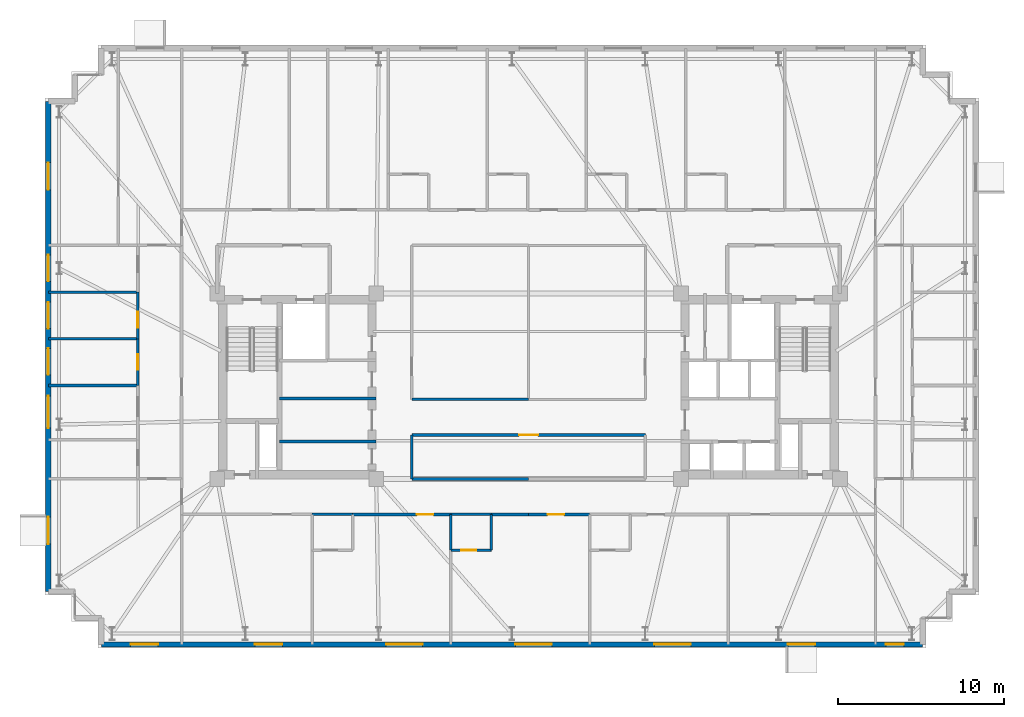
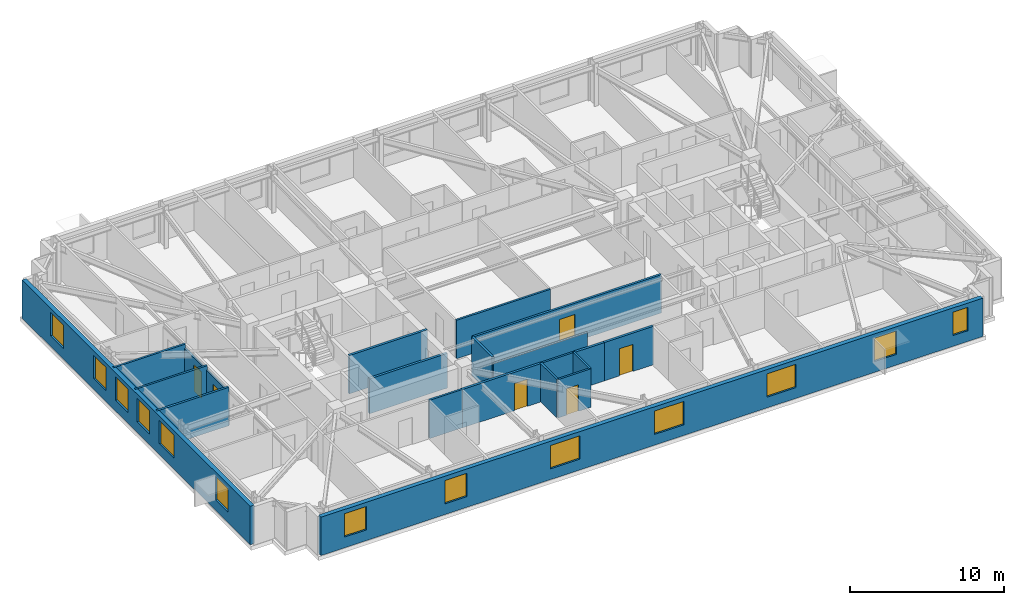
# One storey, part 11 of 18: 21 walls, 13 windows, 6 doors, 19 openings.
"""IFC4 building model written with IfcOpenShell, lengths in metres."""

from ifc_helpers import new_model, si_unit, direction, frame, frame_2d, origin, place, context, subcontext, project, spatial, rectangle, extrude, material, layer, layer_set, type_object, element, fill, save


model = new_model("IFC4")

# Units and contexts
model_context = context("Model", 3, precision=1e-05, world=origin(), true_north=direction((0.0, 1.0)))
body_context = subcontext(model_context, "Body", "Model", "MODEL_VIEW")
ifc_project = project(units=[si_unit("LENGTHUNIT", "METRE"), si_unit("AREAUNIT", "SQUARE_METRE"), si_unit("VOLUMEUNIT", "CUBIC_METRE"), si_unit("PLANEANGLEUNIT", "RADIAN"), si_unit("MASSUNIT", "GRAM", prefix="KILO")], contexts=[model_context])

# Site, building, storey
site_placement = place(None, origin())
site = spatial("IfcSite", under=ifc_project, at=site_placement, CompositionType="ELEMENT")
building_placement = place(site_placement, origin())
building = spatial("IfcBuilding", under=site, at=building_placement, Name="Qobustan Lattice House", CompositionType="ELEMENT")
storey_placement = place(building_placement, frame((0.0, 0.0, 141.050048828125)))
storey = spatial("IfcBuildingStorey", under=building, at=storey_placement, Name="L39", CompositionType="ELEMENT", Elevation=141.050048828125)

# Wall, openings, windows
ifc_material_1 = material(Name="Precast concrete C40/50", Category="concrete")
ifc_layer_1 = layer(ifc_material_1, 0.320068359375)
ifc_layer_set_1 = layer_set([ifc_layer_1], Name="Precast concrete C40/50")
wall_type_1 = type_object("IfcWallType", Name="WAL-EXT-STONE-320", PredefinedType="SOLIDWALL", material=ifc_layer_set_1)
wall_1_placement = place(storey_placement, frame((-29.0, -12.39990234375, 0.0), z_axis=(0.0, 0.0, 1.0), x_axis=(0.0, 1.0, 0.0)))
wall_1 = element("IfcWall", 1, at=wall_1_placement, inside=storey, type_object=wall_type_1, Name="L39 exterior limestone-clad wall 5", PredefinedType="SOLIDWALL", context=body_context, shape_type="SweptSolid", body=[
    extrude(rectangle(XDim=29.599853515625, YDim=0.320068359375, at=frame_2d((14.7998046875, 0.0))), origin(), (0.0, 0.0, 1.0), 3.0400390625),
])
opening_1_placement = place(wall_1_placement, frame((2.85498046875, 0.0, 0.85009765625)))
opening_1 = element("IfcOpeningElement", 2, at=opening_1_placement, cuts=wall_1, Name="Opening WN-09", PredefinedType="OPENING", context=body_context, shape_type="SweptSolid", body=[
    extrude(rectangle(XDim=1.64990234375, YDim=1.85009765625, at=frame_2d((0.824951171875, 0.925048828125))), frame((0.0, 0.169921875, 0.0), z_axis=(0.0, -1.0, 0.0), x_axis=(1.0, 0.0, 0.0)), (0.0, 0.0, 1.0), 0.340087890625),
])
opening_2_placement = place(wall_1_placement, frame((9.864990234375, 0.0, 0.85009765625)))
opening_2 = element("IfcOpeningElement", 3, at=opening_2_placement, cuts=wall_1, Name="Opening WN-08", PredefinedType="OPENING", context=body_context, shape_type="SweptSolid", body=[
    extrude(rectangle(XDim=1.949951171875, YDim=1.85009765625, at=frame_2d((0.97509765625, 0.925048828125))), frame((0.0, 0.169921875, 0.0), z_axis=(0.0, -1.0, 0.0), x_axis=(1.0, 0.0, 0.0)), (0.0, 0.0, 1.0), 0.340087890625),
])
opening_3_placement = place(wall_1_placement, frame((13.080078125, 0.0, 0.85009765625)))
opening_3 = element("IfcOpeningElement", 4, at=opening_3_placement, cuts=wall_1, Name="Opening WN-13", PredefinedType="OPENING", context=body_context, shape_type="SweptSolid", body=[
    extrude(rectangle(XDim=1.60009765625, YDim=1.85009765625, at=frame_2d((0.800048828125, 0.925048828125))), frame((0.0, 0.169921875, 0.0), z_axis=(0.0, -1.0, 0.0), x_axis=(1.0, 0.0, 0.0)), (0.0, 0.0, 1.0), 0.340087890625),
])
opening_4_placement = place(wall_1_placement, frame((15.8798828125, 0.0, 0.85009765625)))
opening_4 = element("IfcOpeningElement", 5, at=opening_4_placement, cuts=wall_1, Name="Opening WN-13", PredefinedType="OPENING", context=body_context, shape_type="SweptSolid", body=[
    extrude(rectangle(XDim=1.60009765625, YDim=1.85009765625, at=frame_2d((0.800048828125, 0.925048828125))), frame((0.0, 0.169921875, 0.0), z_axis=(0.0, -1.0, 0.0), x_axis=(1.0, 0.0, 0.0)), (0.0, 0.0, 1.0), 0.340087890625),
])
opening_5_placement = place(wall_1_placement, frame((18.719970703125, 0.0, 0.85009765625)))
opening_5 = element("IfcOpeningElement", 6, at=opening_5_placement, cuts=wall_1, Name="Opening WN-13", PredefinedType="OPENING", context=body_context, shape_type="SweptSolid", body=[
    extrude(rectangle(XDim=1.60009765625, YDim=1.85009765625, at=frame_2d((0.800048828125, 0.925048828125))), frame((0.0, 0.169921875, 0.0), z_axis=(0.0, -1.0, 0.0), x_axis=(1.0, 0.0, 0.0)), (0.0, 0.0, 1.0), 0.340087890625),
])
opening_6_placement = place(wall_1_placement, frame((24.2548828125, 0.0, 0.85009765625)))
opening_6 = element("IfcOpeningElement", 7, at=opening_6_placement, cuts=wall_1, Name="Opening WN-09", PredefinedType="OPENING", context=body_context, shape_type="SweptSolid", body=[
    extrude(rectangle(XDim=1.64990234375, YDim=1.85009765625, at=frame_2d((0.824951171875, 0.925048828125))), frame((0.0, 0.169921875, 0.0), z_axis=(0.0, -1.0, 0.0), x_axis=(1.0, 0.0, 0.0)), (0.0, 0.0, 1.0), 0.340087890625),
])
ifc_material_2 = material(Name="Double-glazed low-E aluminium window", Category="aluminium")
window_type_1 = type_object("IfcWindowType", Name="WIN-BED-1600x1850", PartitioningType="SINGLE_PANEL", PredefinedType="WINDOW", material=ifc_material_2)
window_1_placement = place(opening_3_placement, origin())
window_1 = element("IfcWindow", 8, at=window_1_placement, inside=storey, type_object=window_type_1, Name="L39 Cluster bedroom L39W1 window", OverallHeight=1.85009765625, OverallWidth=1.60009765625, PartitioningType="SINGLE_PANEL", PredefinedType="WINDOW", context=body_context, shape_type="SweptSolid", body=[
    extrude(rectangle(XDim=1.60009765625, YDim=1.85009765625, at=frame_2d((0.800048828125, 0.925048828125))), frame((0.0, 0.030029296875, 0.0), z_axis=(0.0, -1.0, 0.0), x_axis=(1.0, 0.0, 0.0)), (0.0, 0.0, 1.0), 0.06005859375),
])
fill(opening_3, window_1)
window_2_placement = place(opening_4_placement, origin())
window_2 = element("IfcWindow", 9, at=window_2_placement, inside=storey, type_object=window_type_1, Name="L39 Cluster bedroom L39W2 window", OverallHeight=1.85009765625, OverallWidth=1.60009765625, PartitioningType="SINGLE_PANEL", PredefinedType="WINDOW", context=body_context, shape_type="SweptSolid", body=[
    extrude(rectangle(XDim=1.60009765625, YDim=1.85009765625, at=frame_2d((0.800048828125, 0.925048828125))), frame((0.0, 0.030029296875, 0.0), z_axis=(0.0, -1.0, 0.0), x_axis=(1.0, 0.0, 0.0)), (0.0, 0.0, 1.0), 0.06005859375),
])
fill(opening_4, window_2)
window_3_placement = place(opening_5_placement, origin())
window_3 = element("IfcWindow", 10, at=window_3_placement, inside=storey, type_object=window_type_1, Name="L39 Cluster bedroom L39W3 window", OverallHeight=1.85009765625, OverallWidth=1.60009765625, PartitioningType="SINGLE_PANEL", PredefinedType="WINDOW", context=body_context, shape_type="SweptSolid", body=[
    extrude(rectangle(XDim=1.60009765625, YDim=1.85009765625, at=frame_2d((0.800048828125, 0.925048828125))), frame((0.0, 0.030029296875, 0.0), z_axis=(0.0, -1.0, 0.0), x_axis=(1.0, 0.0, 0.0)), (0.0, 0.0, 1.0), 0.06005859375),
])
fill(opening_5, window_3)
ifc_material_3 = material(Name="Double-glazed low-E aluminium window", Category="aluminium")
window_type_2 = type_object("IfcWindowType", Name="WIN-KIT-1950x1850", PartitioningType="SINGLE_PANEL", PredefinedType="WINDOW", material=ifc_material_3)
window_4_placement = place(opening_2_placement, origin())
window_4 = element("IfcWindow", 11, at=window_4_placement, inside=storey, type_object=window_type_2, Name="L39 Shared kitchen L39W window", OverallHeight=1.85009765625, OverallWidth=1.949951171875, PartitioningType="SINGLE_PANEL", PredefinedType="WINDOW", context=body_context, shape_type="SweptSolid", body=[
    extrude(rectangle(XDim=1.949951171875, YDim=1.85009765625, at=frame_2d((0.97509765625, 0.925048828125))), frame((0.0, 0.030029296875, 0.0), z_axis=(0.0, -1.0, 0.0), x_axis=(1.0, 0.0, 0.0)), (0.0, 0.0, 1.0), 0.06005859375),
])
fill(opening_2, window_4)
ifc_material_4 = material(Name="Double-glazed low-E aluminium window", Category="aluminium")
window_type_3 = type_object("IfcWindowType", Name="WIN-STU-1650x1850", PartitioningType="SINGLE_PANEL", PredefinedType="WINDOW", material=ifc_material_4)
window_5_placement = place(opening_1_placement, origin())
window_5 = element("IfcWindow", 12, at=window_5_placement, inside=storey, type_object=window_type_3, Name="L39 Reading study room L39WS window", OverallHeight=1.85009765625, OverallWidth=1.64990234375, PartitioningType="SINGLE_PANEL", PredefinedType="WINDOW", context=body_context, shape_type="SweptSolid", body=[
    extrude(rectangle(XDim=1.64990234375, YDim=1.85009765625, at=frame_2d((0.824951171875, 0.925048828125))), frame((0.0, 0.030029296875, 0.0), z_axis=(0.0, -1.0, 0.0), x_axis=(1.0, 0.0, 0.0)), (0.0, 0.0, 1.0), 0.06005859375),
])
fill(opening_1, window_5)
window_6_placement = place(opening_6_placement, origin())
window_6 = element("IfcWindow", 13, at=window_6_placement, inside=storey, type_object=window_type_3, Name="L39 Collaborative study room L39WN window", OverallHeight=1.85009765625, OverallWidth=1.64990234375, PartitioningType="SINGLE_PANEL", PredefinedType="WINDOW", context=body_context, shape_type="SweptSolid", body=[
    extrude(rectangle(XDim=1.64990234375, YDim=1.85009765625, at=frame_2d((0.824951171875, 0.925048828125))), frame((0.0, 0.030029296875, 0.0), z_axis=(0.0, -1.0, 0.0), x_axis=(1.0, 0.0, 0.0)), (0.0, 0.0, 1.0), 0.06005859375),
])
fill(opening_6, window_6)

wall_2_placement = place(storey_placement, frame((23.800048828125, -15.60009765625, 0.0), z_axis=(0.0, 0.0, 1.0), x_axis=(-1.0, 0.0, 0.0)))
wall_2 = element("IfcWall", 14, at=wall_2_placement, inside=storey, type_object=wall_type_1, Name="L39 exterior limestone-clad wall 20", PredefinedType="SOLIDWALL", context=body_context, shape_type="SweptSolid", body=[
    extrude(rectangle(XDim=49.60009765625, YDim=0.320068359375, at=frame_2d((24.800048828125, 0.0))), origin(), (0.0, 0.0, 1.0), 3.0400390625),
])
opening_7_placement = place(wall_2_placement, frame((1.1298828125, 0.0, 0.85009765625)))
opening_7 = element("IfcOpeningElement", 15, at=opening_7_placement, cuts=wall_2, Name="Opening WN-04", PredefinedType="OPENING", context=body_context, shape_type="SweptSolid", body=[
    extrude(rectangle(XDim=1.10009765625, YDim=1.85009765625, at=frame_2d((0.550048828125, 0.925048828125))), frame((0.0, 0.169921875, 0.0), z_axis=(0.0, -1.0, 0.0), x_axis=(1.0, 0.0, 0.0)), (0.0, 0.0, 1.0), 0.340087890625),
])
opening_8_placement = place(wall_2_placement, frame((6.4951171875, 0.0, 0.85009765625)))
opening_8 = element("IfcOpeningElement", 16, at=opening_8_placement, cuts=wall_2, Name="Opening WN-09", PredefinedType="OPENING", context=body_context, shape_type="SweptSolid", body=[
    extrude(rectangle(XDim=1.64990234375, YDim=1.85009765625, at=frame_2d((0.824951171875, 0.925048828125))), frame((0.0, 0.169921875, 0.0), z_axis=(0.0, -1.0, 0.0), x_axis=(1.0, 0.0, 0.0)), (0.0, 0.0, 1.0), 0.340087890625),
])
opening_9_placement = place(wall_2_placement, frame((13.99609375, 0.0, 0.85009765625)))
opening_9 = element("IfcOpeningElement", 17, at=opening_9_placement, cuts=wall_2, Name="Opening WN-03", PredefinedType="OPENING", context=body_context, shape_type="SweptSolid", body=[
    extrude(rectangle(XDim=2.199951171875, YDim=1.85009765625, at=frame_2d((1.10009765625, 0.925048828125))), frame((0.0, 0.169921875, 0.0), z_axis=(0.0, -1.0, 0.0), x_axis=(1.0, 0.0, 0.0)), (0.0, 0.0, 1.0), 0.340087890625),
])
opening_10_placement = place(wall_2_placement, frame((22.39599609375, 0.0, 0.85009765625)))
opening_10 = element("IfcOpeningElement", 18, at=opening_10_placement, cuts=wall_2, Name="Opening WN-03", PredefinedType="OPENING", context=body_context, shape_type="SweptSolid", body=[
    extrude(rectangle(XDim=2.199951171875, YDim=1.85009765625, at=frame_2d((1.10009765625, 0.925048828125))), frame((0.0, 0.169921875, 0.0), z_axis=(0.0, -1.0, 0.0), x_axis=(1.0, 0.0, 0.0)), (0.0, 0.0, 1.0), 0.340087890625),
])
opening_11_placement = place(wall_2_placement, frame((30.199951171875, 0.0, 0.85009765625)))
opening_11 = element("IfcOpeningElement", 19, at=opening_11_placement, cuts=wall_2, Name="Opening WN-03", PredefinedType="OPENING", context=body_context, shape_type="SweptSolid", body=[
    extrude(rectangle(XDim=2.199951171875, YDim=1.85009765625, at=frame_2d((1.10009765625, 0.925048828125))), frame((0.0, 0.169921875, 0.0), z_axis=(0.0, -1.0, 0.0), x_axis=(1.0, 0.0, 0.0)), (0.0, 0.0, 1.0), 0.340087890625),
])
opening_12_placement = place(wall_2_placement, frame((38.672607421875, 0.0, 0.85009765625)))
opening_12 = element("IfcOpeningElement", 20, at=opening_12_placement, cuts=wall_2, Name="Opening WN-09", PredefinedType="OPENING", context=body_context, shape_type="SweptSolid", body=[
    extrude(rectangle(XDim=1.64990234375, YDim=1.85009765625, at=frame_2d((0.824951171875, 0.925048828125))), frame((0.0, 0.169921875, 0.0), z_axis=(0.0, -1.0, 0.0), x_axis=(1.0, 0.0, 0.0)), (0.0, 0.0, 1.0), 0.340087890625),
])
opening_13_placement = place(wall_2_placement, frame((46.175048828125, 0.0, 0.85009765625)))
opening_13 = element("IfcOpeningElement", 21, at=opening_13_placement, cuts=wall_2, Name="Opening WN-09", PredefinedType="OPENING", context=body_context, shape_type="SweptSolid", body=[
    extrude(rectangle(XDim=1.64990234375, YDim=1.85009765625, at=frame_2d((0.824951171875, 0.925048828125))), frame((0.0, 0.169921875, 0.0), z_axis=(0.0, -1.0, 0.0), x_axis=(1.0, 0.0, 0.0)), (0.0, 0.0, 1.0), 0.340087890625),
])
ifc_material_5 = material(Name="Double-glazed low-E aluminium window", Category="aluminium")
window_type_4 = type_object("IfcWindowType", Name="WIN-NAR-1100x1850", PartitioningType="SINGLE_PANEL", PredefinedType="WINDOW", material=ifc_material_5)
window_7_placement = place(opening_7_placement, origin())
window_7 = element("IfcWindow", 22, at=window_7_placement, inside=storey, type_object=window_type_4, Name="L39 Reading study room L39ES window", OverallHeight=1.85009765625, OverallWidth=1.10009765625, PartitioningType="SINGLE_PANEL", PredefinedType="WINDOW", context=body_context, shape_type="SweptSolid", body=[
    extrude(rectangle(XDim=1.10009765625, YDim=1.85009765625, at=frame_2d((0.550048828125, 0.925048828125))), frame((0.0, 0.030029296875, 0.0), z_axis=(0.0, -1.0, 0.0), x_axis=(1.0, 0.0, 0.0)), (0.0, 0.0, 1.0), 0.06005859375),
])
fill(opening_7, window_7)
window_8_placement = place(opening_8_placement, origin())
window_8 = element("IfcWindow", 23, at=window_8_placement, inside=storey, type_object=window_type_3, Name="L39 Group study room window", OverallHeight=1.85009765625, OverallWidth=1.64990234375, PartitioningType="SINGLE_PANEL", PredefinedType="WINDOW", context=body_context, shape_type="SweptSolid", body=[
    extrude(rectangle(XDim=1.64990234375, YDim=1.85009765625, at=frame_2d((0.824951171875, 0.925048828125))), frame((0.0, 0.030029296875, 0.0), z_axis=(0.0, -1.0, 0.0), x_axis=(1.0, 0.0, 0.0)), (0.0, 0.0, 1.0), 0.06005859375),
])
fill(opening_8, window_8)
window_9_placement = place(opening_12_placement, origin())
window_9 = element("IfcWindow", 24, at=window_9_placement, inside=storey, type_object=window_type_3, Name="L39 Focus study room S1 window", OverallHeight=1.85009765625, OverallWidth=1.64990234375, PartitioningType="SINGLE_PANEL", PredefinedType="WINDOW", context=body_context, shape_type="SweptSolid", body=[
    extrude(rectangle(XDim=1.64990234375, YDim=1.85009765625, at=frame_2d((0.824951171875, 0.925048828125))), frame((0.0, 0.030029296875, 0.0), z_axis=(0.0, -1.0, 0.0), x_axis=(1.0, 0.0, 0.0)), (0.0, 0.0, 1.0), 0.06005859375),
])
fill(opening_12, window_9)
window_10_placement = place(opening_13_placement, origin())
window_10 = element("IfcWindow", 25, at=window_10_placement, inside=storey, type_object=window_type_3, Name="L39 Reading study room L39WS window", OverallHeight=1.85009765625, OverallWidth=1.64990234375, PartitioningType="SINGLE_PANEL", PredefinedType="WINDOW", context=body_context, shape_type="SweptSolid", body=[
    extrude(rectangle(XDim=1.64990234375, YDim=1.85009765625, at=frame_2d((0.824951171875, 0.925048828125))), frame((0.0, 0.030029296875, 0.0), z_axis=(0.0, -1.0, 0.0), x_axis=(1.0, 0.0, 0.0)), (0.0, 0.0, 1.0), 0.06005859375),
])
fill(opening_13, window_10)
ifc_material_6 = material(Name="Double-glazed low-E aluminium window", Category="aluminium")
window_type_5 = type_object("IfcWindowType", Name="WIN-WIDE-2200x1850", PartitioningType="SINGLE_PANEL", PredefinedType="WINDOW", material=ifc_material_6)
window_11_placement = place(opening_9_placement, origin())
window_11 = element("IfcWindow", 26, at=window_11_placement, inside=storey, type_object=window_type_5, Name="L39 Kitchenette and studio apartment L39-S4 window", OverallHeight=1.85009765625, OverallWidth=2.199951171875, PartitioningType="SINGLE_PANEL", PredefinedType="WINDOW", context=body_context, shape_type="SweptSolid", body=[
    extrude(rectangle(XDim=2.199951171875, YDim=1.85009765625, at=frame_2d((1.10009765625, 0.925048828125))), frame((0.0, 0.030029296875, 0.0), z_axis=(0.0, -1.0, 0.0), x_axis=(1.0, 0.0, 0.0)), (0.0, 0.0, 1.0), 0.06005859375),
])
fill(opening_9, window_11)
window_12_placement = place(opening_10_placement, origin())
window_12 = element("IfcWindow", 27, at=window_12_placement, inside=storey, type_object=window_type_5, Name="L39 Kitchenette and studio apartment L39-S3 window", OverallHeight=1.85009765625, OverallWidth=2.199951171875, PartitioningType="SINGLE_PANEL", PredefinedType="WINDOW", context=body_context, shape_type="SweptSolid", body=[
    extrude(rectangle(XDim=2.199951171875, YDim=1.85009765625, at=frame_2d((1.10009765625, 0.925048828125))), frame((0.0, 0.030029296875, 0.0), z_axis=(0.0, -1.0, 0.0), x_axis=(1.0, 0.0, 0.0)), (0.0, 0.0, 1.0), 0.06005859375),
])
fill(opening_10, window_12)
window_13_placement = place(opening_11_placement, origin())
window_13 = element("IfcWindow", 28, at=window_13_placement, inside=storey, type_object=window_type_5, Name="L39 Kitchenette and studio apartment L39-S2 window", OverallHeight=1.85009765625, OverallWidth=2.199951171875, PartitioningType="SINGLE_PANEL", PredefinedType="WINDOW", context=body_context, shape_type="SweptSolid", body=[
    extrude(rectangle(XDim=2.199951171875, YDim=1.85009765625, at=frame_2d((1.10009765625, 0.925048828125))), frame((0.0, 0.030029296875, 0.0), z_axis=(0.0, -1.0, 0.0), x_axis=(1.0, 0.0, 0.0)), (0.0, 0.0, 1.0), 0.06005859375),
])
fill(opening_11, window_13)

# Walls
ifc_material_7 = material(Name="Gypsum fireboard acoustic partition", Category="gypsum")
ifc_layer_2 = layer(ifc_material_7, 0.179931640625)
ifc_layer_set_2 = layer_set([ifc_layer_2], Name="Gypsum fireboard acoustic partition")
wall_type_2 = type_object("IfcWallType", Name="WAL-FIRE-180", PredefinedType="PARTITIONING", material=ifc_layer_set_2)
wall_3_placement = place(storey_placement, frame((-15.050048828125, -3.35009765625, 0.0), z_axis=(0.0, 0.0, 1.0), x_axis=(1.0, 0.0, 0.0)))
element("IfcWall", 29, at=wall_3_placement, inside=storey, type_object=wall_type_2, Name="L39 interior partition 8", PredefinedType="PARTITIONING", context=body_context, shape_type="SweptSolid", body=[
    extrude(rectangle(XDim=5.85009765625, YDim=0.179931640625, at=frame_2d((2.925048828125, 0.0))), origin(), (0.0, 0.0, 1.0), 2.7548828125),
])
wall_4_placement = place(storey_placement, frame((-9.199951171875, -0.75, 0.0), z_axis=(0.0, 0.0, 1.0), x_axis=(-1.0, 0.0, 0.0)))
element("IfcWall", 30, at=wall_4_placement, inside=storey, type_object=wall_type_2, Name="L39 interior partition 9", PredefinedType="PARTITIONING", context=body_context, shape_type="SweptSolid", body=[
    extrude(rectangle(XDim=5.85009765625, YDim=0.179931640625, at=frame_2d((2.925048828125, 0.0))), origin(), (0.0, 0.0, 1.0), 3.0400390625),
])

# Wall, opening, door
wall_5_placement = place(storey_placement, frame((-4.68994140625, -7.75, 0.0), z_axis=(0.0, 0.0, 1.0), x_axis=(-1.0, 0.0, 0.0)))
wall_5 = element("IfcWall", 31, at=wall_5_placement, inside=storey, type_object=wall_type_2, Name="L39 interior partition 49", PredefinedType="PARTITIONING", context=body_context, shape_type="SweptSolid", body=[
    extrude(rectangle(XDim=5.93017578125, YDim=0.179931640625, at=frame_2d((2.965087890625, 0.0))), origin(), (0.0, 0.0, 1.0), 3.0400390625),
])
opening_14_placement = place(wall_5_placement, frame((1.05126953125, 0.0, 0.0)))
opening_14 = element("IfcOpeningElement", 32, at=opening_14_placement, cuts=wall_5, Name="Opening FD-02", PredefinedType="OPENING", context=body_context, shape_type="SweptSolid", body=[
    extrude(rectangle(XDim=1.0, YDim=2.14990234375, at=frame_2d((0.5, 1.074951171875))), frame((0.0, 0.099853515625, 0.0), z_axis=(0.0, -1.0, 0.0), x_axis=(1.0, 0.0, 0.0)), (0.0, 0.0, 1.0), 0.199951171875),
])
ifc_material_8 = material(Name="Persian walnut timber and steel frame door", Category="steel")
door_type_1 = type_object("IfcDoorType", Name="DOR-UNIT-FD-1000x2150", OperationType="NOTDEFINED", PredefinedType="DOOR", material=ifc_material_8)
door_1_placement = place(opening_14_placement, origin())
door_1 = element("IfcDoor", 33, at=door_1_placement, inside=storey, type_object=door_type_1, Name="L39 South-west floor corridor to Kitchenette and studio apartment L39-S2 door", OperationType="SINGLE_SWING_LEFT", OverallHeight=2.14990234375, OverallWidth=1.0, PredefinedType="DOOR", context=body_context, shape_type="SweptSolid", body=[
    extrude(rectangle(XDim=1.0, YDim=2.14990234375, at=frame_2d((0.5, 1.074951171875))), frame((0.0, 0.02490234375, 0.0), z_axis=(0.0, -1.0, 0.0), x_axis=(1.0, 0.0, 0.0)), (0.0, 0.0, 1.0), 0.050048828125),
])
fill(opening_14, door_1)

# Wall
wall_6_placement = place(storey_placement, frame((0.0, -7.75, 0.0), z_axis=(0.0, 0.0, 1.0), x_axis=(-1.0, 0.0, 0.0)))
element("IfcWall", 34, at=wall_6_placement, inside=storey, type_object=wall_type_2, Name="L39 interior partition 51", PredefinedType="PARTITIONING", context=body_context, shape_type="SweptSolid", body=[
    extrude(rectangle(XDim=2.239990234375, YDim=0.179931640625, at=frame_2d((1.1201171875, 0.0))), origin(), (0.0, 0.0, 1.0), 3.0400390625),
])

# Wall, opening, door
wall_7_placement = place(storey_placement, frame((3.68994140625, -7.75, 0.0), z_axis=(0.0, 0.0, 1.0), x_axis=(-1.0, 0.0, 0.0)))
wall_7 = element("IfcWall", 35, at=wall_7_placement, inside=storey, type_object=wall_type_2, Name="L39 interior partition 55", PredefinedType="PARTITIONING", context=body_context, shape_type="SweptSolid", body=[
    extrude(rectangle(XDim=3.68994140625, YDim=0.179931640625, at=frame_2d((1.844970703125, 0.0))), origin(), (0.0, 0.0, 1.0), 3.0400390625),
])
opening_15_placement = place(wall_7_placement, frame((1.5361328125, 0.0, 0.0)))
opening_15 = element("IfcOpeningElement", 36, at=opening_15_placement, cuts=wall_7, Name="Opening FD-02", PredefinedType="OPENING", context=body_context, shape_type="SweptSolid", body=[
    extrude(rectangle(XDim=1.0, YDim=2.14990234375, at=frame_2d((0.5, 1.074951171875))), frame((0.0, 0.099853515625, 0.0), z_axis=(0.0, -1.0, 0.0), x_axis=(1.0, 0.0, 0.0)), (0.0, 0.0, 1.0), 0.199951171875),
])
door_2_placement = place(opening_15_placement, origin())
door_2 = element("IfcDoor", 37, at=door_2_placement, inside=storey, type_object=door_type_1, Name="L39 South-east floor corridor to Kitchenette and studio apartment L39-S3 door", OperationType="SINGLE_SWING_LEFT", OverallHeight=2.14990234375, OverallWidth=1.0, PredefinedType="DOOR", context=body_context, shape_type="SweptSolid", body=[
    extrude(rectangle(XDim=1.0, YDim=2.14990234375, at=frame_2d((0.5, 1.074951171875))), frame((0.0, 0.02490234375, 0.0), z_axis=(0.0, -1.0, 0.0), x_axis=(1.0, 0.0, 0.0)), (0.0, 0.0, 1.0), 0.050048828125),
])
fill(opening_15, door_2)

# Wall
ifc_material_9 = material(Name="Acoustic twin-stud gypsum partition", Category="gypsum")
ifc_layer_3 = layer(ifc_material_9, 0.14990234375)
ifc_layer_set_3 = layer_set([ifc_layer_3], Name="Acoustic twin-stud gypsum partition")
wall_type_3 = type_object("IfcWallType", Name="WAL-PART-150", PredefinedType="PARTITIONING", material=ifc_layer_set_3)
wall_8_placement = place(storey_placement, frame((-7.050048828125, -0.800048828125, 0.0), z_axis=(0.0, 0.0, 1.0), x_axis=(1.0, 0.0, 0.0)))
element("IfcWall", 38, at=wall_8_placement, inside=storey, type_object=wall_type_3, Name="L39 interior partition 62", PredefinedType="PARTITIONING", context=body_context, shape_type="SweptSolid", body=[
    extrude(rectangle(XDim=7.050048828125, YDim=0.14990234375, at=frame_2d((3.52490234375, 0.0))), origin(), (0.0, 0.0, 1.0), 3.0400390625),
])

# Wall, opening, door
wall_9_placement = place(storey_placement, frame((-23.60009765625, 0.0400390625, 0.0), z_axis=(0.0, 0.0, 1.0), x_axis=(0.0, 1.0, 0.0)))
wall_9 = element("IfcWall", 39, at=wall_9_placement, inside=storey, type_object=wall_type_3, Name="L39 interior partition 73", PredefinedType="PARTITIONING", context=body_context, shape_type="SweptSolid", body=[
    extrude(rectangle(XDim=2.820068359375, YDim=0.14990234375, at=frame_2d((1.41015625, 0.0))), origin(), (0.0, 0.0, 1.0), 2.695068359375),
])
opening_16_placement = place(wall_9_placement, frame((0.93505859375, 0.0, 0.0)))
opening_16 = element("IfcOpeningElement", 40, at=opening_16_placement, cuts=wall_9, Name="Opening ID-01", PredefinedType="OPENING", context=body_context, shape_type="SweptSolid", body=[
    extrude(rectangle(XDim=0.949951171875, YDim=2.10009765625, at=frame_2d((0.47509765625, 1.050048828125))), frame((0.0, 0.0849609375, 0.0), z_axis=(0.0, -1.0, 0.0), x_axis=(1.0, 0.0, 0.0)), (0.0, 0.0, 1.0), 0.169921875),
])
ifc_material_10 = material(Name="Persian walnut timber and steel frame door", Category="steel")
door_type_2 = type_object("IfcDoorType", Name="DOR-ROOM-950x2100", OperationType="NOTDEFINED", PredefinedType="DOOR", material=ifc_material_10)
door_3_placement = place(opening_16_placement, origin())
door_3 = element("IfcDoor", 41, at=door_3_placement, inside=storey, type_object=door_type_2, Name="L39 Residence entrance hall L39W to Cluster bedroom L39W1 door", OperationType="SINGLE_SWING_LEFT", OverallHeight=2.10009765625, OverallWidth=0.949951171875, PredefinedType="DOOR", context=body_context, shape_type="SweptSolid", body=[
    extrude(rectangle(XDim=0.949951171875, YDim=2.10009765625, at=frame_2d((0.47509765625, 1.050048828125))), frame((0.0, 0.02490234375, 0.0), z_axis=(0.0, -1.0, 0.0), x_axis=(1.0, 0.0, 0.0)), (0.0, 0.0, 1.0), 0.050048828125),
])
fill(opening_16, door_3)

wall_10_placement = place(storey_placement, frame((-23.60009765625, 2.860107421875, 0.0), z_axis=(0.0, 0.0, 1.0), x_axis=(0.0, 1.0, 0.0)))
wall_10 = element("IfcWall", 42, at=wall_10_placement, inside=storey, type_object=wall_type_3, Name="L39 interior partition 74", PredefinedType="PARTITIONING", context=body_context, shape_type="SweptSolid", body=[
    extrude(rectangle(XDim=2.81982421875, YDim=0.14990234375, at=frame_2d((1.409912109375, 0.0))), origin(), (0.0, 0.0, 1.0), 2.695068359375),
])
opening_17_placement = place(wall_10_placement, frame((0.668701171875, 0.0, 0.0)))
opening_17 = element("IfcOpeningElement", 43, at=opening_17_placement, cuts=wall_10, Name="Opening ID-01", PredefinedType="OPENING", context=body_context, shape_type="SweptSolid", body=[
    extrude(rectangle(XDim=0.949951171875, YDim=2.10009765625, at=frame_2d((0.47509765625, 1.050048828125))), frame((0.0, 0.0849609375, 0.0), z_axis=(0.0, -1.0, 0.0), x_axis=(1.0, 0.0, 0.0)), (0.0, 0.0, 1.0), 0.169921875),
])
door_4_placement = place(opening_17_placement, origin())
door_4 = element("IfcDoor", 44, at=door_4_placement, inside=storey, type_object=door_type_2, Name="L39 Residence entrance hall L39W to Cluster bedroom L39W2 door", OperationType="SINGLE_SWING_RIGHT", OverallHeight=2.10009765625, OverallWidth=0.949951171875, PredefinedType="DOOR", context=body_context, shape_type="SweptSolid", body=[
    extrude(rectangle(XDim=0.949951171875, YDim=2.10009765625, at=frame_2d((0.47509765625, 1.050048828125))), frame((0.0, 0.02490234375, 0.0), z_axis=(0.0, -1.0, 0.0), x_axis=(1.0, 0.0, 0.0)), (0.0, 0.0, 1.0), 0.050048828125),
])
fill(opening_17, door_4)

# Walls
for number, where, z_axis, x_axis, name in (
    (45, (-29.0, 2.860107421875, 0.0), (0.0, 0.0, 1.0), (1.0, 0.0, 0.0), "L39 interior partition 84"),
    (46, (-29.0, 5.679931640625, 0.0), (0.0, 0.0, 1.0), (1.0, 0.0, 0.0), "L39 interior partition 85"),
):
    element("IfcWall", number, at=place(storey_placement, frame(where, z_axis=z_axis, x_axis=x_axis)), inside=storey, type_object=wall_type_3, Name=name, PredefinedType="PARTITIONING", context=body_context, shape_type="SweptSolid", body=[
        extrude(rectangle(XDim=5.39990234375, YDim=0.14990234375, at=frame_2d((2.699951171875, 0.0))), origin(), (0.0, 0.0, 1.0), 3.0400390625),
    ])
ifc_material_11 = material(Name="High-mass acoustic twin-stud partition", Category="gypsum")
ifc_layer_4 = layer(ifc_material_11, 0.1650390625)
ifc_layer_set_4 = layer_set([ifc_layer_4], Name="High-mass acoustic twin-stud partition")
wall_type_4 = type_object("IfcWallType", Name="WAL-PART-165", PredefinedType="PARTITIONING", material=ifc_layer_set_4)
wall_11_placement = place(storey_placement, frame((-7.050048828125, -5.60009765625, 0.0), z_axis=(0.0, 0.0, 1.0), x_axis=(1.0, 0.0, 0.0)))
element("IfcWall", 47, at=wall_11_placement, inside=storey, type_object=wall_type_4, Name="L39 interior partition 53", PredefinedType="PARTITIONING", context=body_context, shape_type="SweptSolid", body=[
    extrude(rectangle(XDim=7.050048828125, YDim=0.1650390625, at=frame_2d((3.52490234375, 0.0))), origin(), (0.0, 0.0, 1.0), 2.52490234375),
])

# Wall, opening, door
wall_12_placement = place(storey_placement, frame((7.050048828125, -2.949951171875, 0.0), z_axis=(0.0, 0.0, 1.0), x_axis=(-1.0, 0.0, 0.0)))
wall_12 = element("IfcWall", 48, at=wall_12_placement, inside=storey, type_object=wall_type_4, Name="L39 interior partition 64", PredefinedType="PARTITIONING", context=body_context, shape_type="SweptSolid", body=[
    extrude(rectangle(XDim=14.10009765625, YDim=0.1650390625, at=frame_2d((7.050048828125, 0.0))), origin(), (0.0, 0.0, 1.0), 3.0400390625),
])
opening_18_placement = place(wall_12_placement, frame((6.47509765625, 0.0, 0.0)))
opening_18 = element("IfcOpeningElement", 49, at=opening_18_placement, cuts=wall_12, Name="Opening ID-03", PredefinedType="OPENING", context=body_context, shape_type="SweptSolid", body=[
    extrude(rectangle(XDim=1.14990234375, YDim=2.14990234375, at=frame_2d((0.574951171875, 1.074951171875))), frame((0.0, 0.092529296875, 0.0), z_axis=(0.0, -1.0, 0.0), x_axis=(1.0, 0.0, 0.0)), (0.0, 0.0, 1.0), 0.18505859375),
])
ifc_material_12 = material(Name="Persian walnut timber and steel frame door", Category="steel")
door_type_3 = type_object("IfcDoorType", Name="DOR-KITCH-1150x2150", OperationType="NOTDEFINED", PredefinedType="DOOR", material=ifc_material_12)
door_5_placement = place(opening_18_placement, origin())
door_5 = element("IfcDoor", 50, at=door_5_placement, inside=storey, type_object=door_type_3, Name="L39 Central spine corridor to Shared kitchen and tea room door", OperationType="SINGLE_SWING_RIGHT", OverallHeight=2.14990234375, OverallWidth=1.14990234375, PredefinedType="DOOR", context=body_context, shape_type="SweptSolid", body=[
    extrude(rectangle(XDim=1.14990234375, YDim=2.14990234375, at=frame_2d((0.574951171875, 1.074951171875))), frame((0.0, 0.02490234375, 0.0), z_axis=(0.0, -1.0, 0.0), x_axis=(1.0, 0.0, 0.0)), (0.0, 0.0, 1.0), 0.050048828125),
])
fill(opening_18, door_5)

# Walls
wall_13_placement = place(storey_placement, frame((-7.050048828125, -2.949951171875, 0.0), z_axis=(0.0, 0.0, 1.0), x_axis=(0.0, -1.0, 0.0)))
element("IfcWall", 51, at=wall_13_placement, inside=storey, type_object=wall_type_4, Name="L39 interior partition 66", PredefinedType="PARTITIONING", context=body_context, shape_type="SweptSolid", body=[
    extrude(rectangle(XDim=2.650146484375, YDim=0.1650390625, at=frame_2d((1.3251953125, 0.0))), origin(), (0.0, 0.0, 1.0), 3.0400390625),
])
wall_14_placement = place(storey_placement, frame((-29.0, 0.0400390625, 0.0), z_axis=(0.0, 0.0, 1.0), x_axis=(1.0, 0.0, 0.0)))
element("IfcWall", 52, at=wall_14_placement, inside=storey, type_object=wall_type_4, Name="L39 interior partition 83", PredefinedType="PARTITIONING", context=body_context, shape_type="SweptSolid", body=[
    extrude(rectangle(XDim=5.39990234375, YDim=0.1650390625, at=frame_2d((2.699951171875, 0.0))), origin(), (0.0, 0.0, 1.0), 3.0400390625),
])
ifc_material_13 = material(Name="Moisture-resistant acoustic plumbing wall", Category="gypsum")
ifc_layer_5 = layer(ifc_material_13, 0.14990234375)
ifc_layer_set_5 = layer_set([ifc_layer_5], Name="Moisture-resistant acoustic plumbing wall")
wall_type_5 = type_object("IfcWallType", Name="WAL-WET-150", PredefinedType="PLUMBINGWALL", material=ifc_layer_set_5)
for number, where, z_axis, x_axis, name in (
    (53, (-10.6201171875, -7.75, 0.0), (0.0, 0.0, 1.0), (-1.0, 0.0, 0.0), "L39 interior partition 50"),
    (54, (-2.239990234375, -7.75, 0.0), (0.0, 0.0, 1.0), (-1.0, 0.0, 0.0), "L39 interior partition 52"),
):
    element("IfcWall", number, at=place(storey_placement, frame(where, z_axis=z_axis, x_axis=x_axis)), inside=storey, type_object=wall_type_5, Name=name, PredefinedType="PLUMBINGWALL", context=body_context, shape_type="SweptSolid", body=[
        extrude(rectangle(XDim=2.449951171875, YDim=0.14990234375, at=frame_2d((1.22509765625, 0.0))), origin(), (0.0, 0.0, 1.0), 3.0400390625),
    ])
wall_15_placement = place(storey_placement, frame((-4.68994140625, -7.75, 0.0), z_axis=(0.0, 0.0, 1.0), x_axis=(0.0, -1.0, 0.0)))
element("IfcWall", 55, at=wall_15_placement, inside=storey, type_object=wall_type_5, Name="L39 interior partition 125", PredefinedType="PLUMBINGWALL", context=body_context, shape_type="SweptSolid", body=[
    extrude(rectangle(XDim=2.14990234375, YDim=0.14990234375, at=frame_2d((1.074951171875, 0.0))), origin(), (0.0, 0.0, 1.0), 3.0400390625),
])

# Wall, opening, door
wall_16_placement = place(storey_placement, frame((-4.68994140625, -9.89990234375, 0.0), z_axis=(0.0, 0.0, 1.0), x_axis=(1.0, 0.0, 0.0)))
wall_16 = element("IfcWall", 56, at=wall_16_placement, inside=storey, type_object=wall_type_5, Name="L39 interior partition 126", PredefinedType="PLUMBINGWALL", context=body_context, shape_type="SweptSolid", body=[
    extrude(rectangle(XDim=2.449951171875, YDim=0.14990234375, at=frame_2d((1.22509765625, 0.0))), origin(), (0.0, 0.0, 1.0), 3.0400390625),
])
opening_19_placement = place(wall_16_placement, frame((0.62890625, 0.0, 0.0)))
opening_19 = element("IfcOpeningElement", 57, at=opening_19_placement, cuts=wall_16, Name="Opening WD-01", PredefinedType="OPENING", context=body_context, shape_type="SweptSolid", body=[
    extrude(rectangle(XDim=0.89990234375, YDim=2.10009765625, at=frame_2d((0.449951171875, 1.050048828125))), frame((0.0, 0.0849609375, 0.0), z_axis=(0.0, -1.0, 0.0), x_axis=(1.0, 0.0, 0.0)), (0.0, 0.0, 1.0), 0.169921875),
])
ifc_material_14 = material(Name="Persian walnut timber and steel frame door", Category="steel")
door_type_4 = type_object("IfcDoorType", Name="DOR-WET-900x2100", OperationType="NOTDEFINED", PredefinedType="DOOR", material=ifc_material_14)
door_6_placement = place(opening_19_placement, origin())
door_6 = element("IfcDoor", 58, at=door_6_placement, inside=storey, type_object=door_type_4, Name="L39 Kitchenette and studio apartment L39-S3 to En-suite bathroom L39-S3 door", OperationType="SINGLE_SWING_LEFT", OverallHeight=2.10009765625, OverallWidth=0.89990234375, PredefinedType="DOOR", context=body_context, shape_type="SweptSolid", body=[
    extrude(rectangle(XDim=0.89990234375, YDim=2.10009765625, at=frame_2d((0.449951171875, 1.050048828125))), frame((0.0, 0.02490234375, 0.0), z_axis=(0.0, -1.0, 0.0), x_axis=(1.0, 0.0, 0.0)), (0.0, 0.0, 1.0), 0.050048828125),
])
fill(opening_19, door_6)

# Wall
wall_17_placement = place(storey_placement, frame((-2.239990234375, -9.89990234375, 0.0), z_axis=(0.0, 0.0, 1.0), x_axis=(0.0, 1.0, 0.0)))
element("IfcWall", 59, at=wall_17_placement, inside=storey, type_object=wall_type_5, Name="L39 interior partition 127", PredefinedType="PLUMBINGWALL", context=body_context, shape_type="SweptSolid", body=[
    extrude(rectangle(XDim=2.14990234375, YDim=0.14990234375, at=frame_2d((1.074951171875, 0.0))), origin(), (0.0, 0.0, 1.0), 3.0400390625),
])

save(model, "model.ifc")
